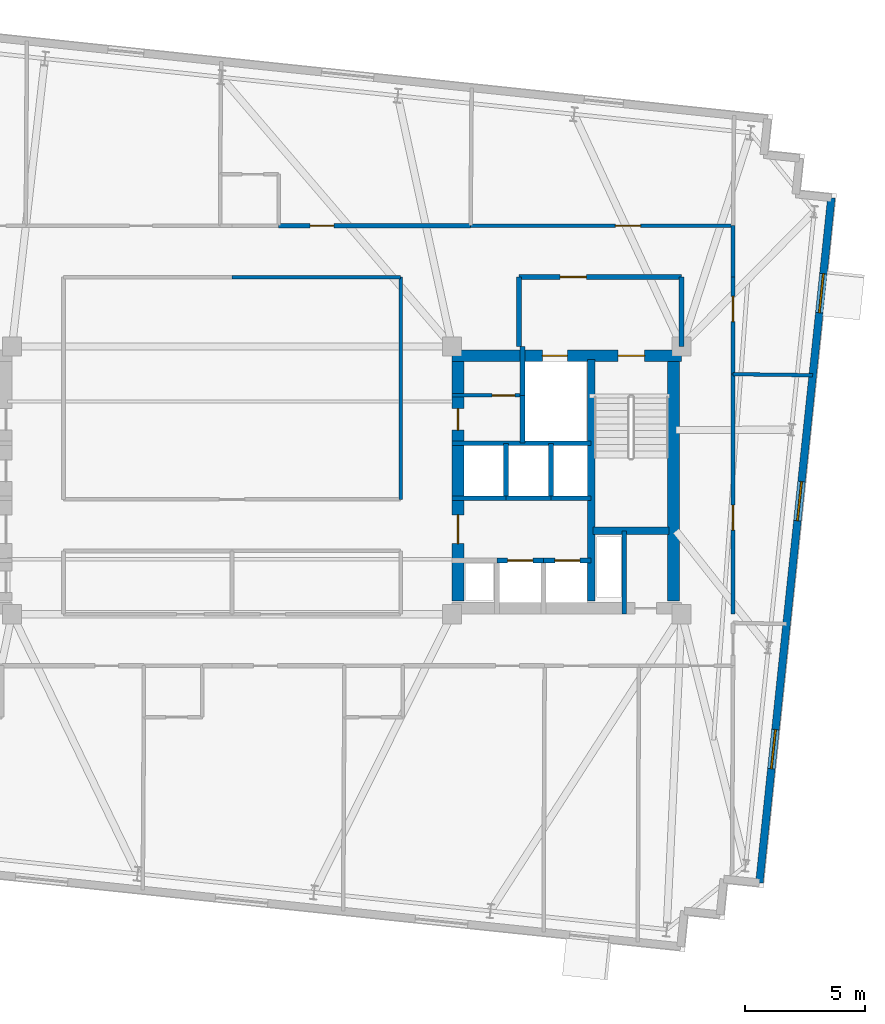
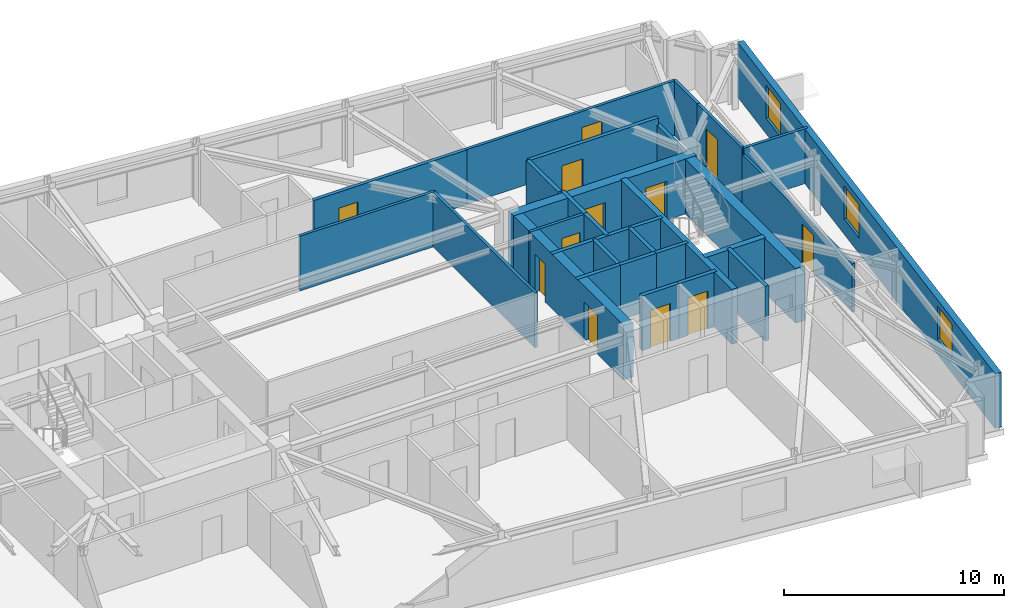
# One storey, part 8 of 11: 29 walls, 12 doors, 3 windows, 15 openings.
"""IFC4 building model written with IfcOpenShell, lengths in metres."""

import ifcopenshell
import ifcopenshell.guid

model = None  # the IFC model being written
_history = None  # IfcOwnerHistory: only IFC2X3 demands one
_inside = {}  # id of a spatial element -> (the spatial element, [elements in it])
_under = {}  # id of a project, library or spatial element -> (it, [spatial elements below it])
_declared = {}  # id of a project -> (the project, [libraries it declares])
_typed = {}  # id of a type object -> (the type object, [elements of that type])
_made_of = {}  # id of a material, layer set ... -> (it, [elements and type objects made of it])


def new_model(schema):
    """Start an empty IFC model of exactly this schema.

    Asked for "IFC4X3", IfcOpenShell would pick the latest addendum, in which some entities
    have other attributes; the version numbers below select the first issue.
    IFC2X3 requires an IfcOwnerHistory on every rooted entity: one is made here for all.
    """
    global model, _history
    if schema == "IFC4X3":
        model = ifcopenshell.file(schema_version=(4, 3, 0, 0))
    else:
        model = ifcopenshell.file(schema=schema)
    _inside.clear()
    _under.clear()
    _declared.clear()
    _typed.clear()
    _made_of.clear()
    _history = None
    if model.schema == "IFC2X3":
        org = make("IfcOrganization", Name="unknown")
        user = make(
            "IfcPersonAndOrganization",
            ThePerson=make("IfcPerson", FamilyName="unknown"),
            TheOrganization=org,
        )
        app = make(
            "IfcApplication",
            ApplicationDeveloper=org,
            Version="unknown",
            ApplicationFullName="unknown",
            ApplicationIdentifier="unknown",
        )
        _history = make(
            "IfcOwnerHistory",
            OwningUser=user,
            OwningApplication=app,
            ChangeAction="ADDED",
            CreationDate=0,
        )
    return model


def make(cls, **values):
    """One entity of the class cls with the attributes given. An attribute that is None is left unset."""
    return model.create_entity(
        cls, **{name: value for name, value in values.items() if value is not None}
    )


def rooted(cls, **values):
    """An entity with a GlobalId (a new one), such as an element, a storey or a relation."""
    return make(cls, GlobalId=ifcopenshell.guid.new(), OwnerHistory=_history, **values)


def si_unit(unit_type, name, prefix=None):
    """IfcSIUnit, for example si_unit("LENGTHUNIT", "METRE", prefix="MILLI")."""
    return make("IfcSIUnit", UnitType=unit_type, Prefix=prefix, Name=name)


def assignment(units):
    """IfcUnitAssignment: the units of a project."""
    return None if units is None else make("IfcUnitAssignment", Units=units)


def point(xyz):
    """IfcCartesianPoint."""
    return None if xyz is None else make("IfcCartesianPoint", Coordinates=xyz)


def direction(xyz):
    """IfcDirection."""
    return None if xyz is None else make("IfcDirection", DirectionRatios=xyz)


def frame(location, z_axis=None, x_axis=None):
    """IfcAxis2Placement3D, a coordinate frame: its origin and axes. An axis left out is left unset."""
    return make(
        "IfcAxis2Placement3D",
        Location=point(location),
        Axis=direction(z_axis),
        RefDirection=direction(x_axis),
    )


def frame_2d(location, x_axis=None):
    """IfcAxis2Placement2D, a coordinate frame in the plane: its origin and x axis."""
    return make(
        "IfcAxis2Placement2D", Location=point(location), RefDirection=direction(x_axis)
    )


def origin():
    """The frame at (0, 0, 0) with its axes left unset."""
    return frame((0.0, 0.0, 0.0))


def place(relative_to, where):
    """IfcLocalPlacement: puts the frame where relative to a parent placement (None: the world)."""
    return make(
        "IfcLocalPlacement", PlacementRelTo=relative_to, RelativePlacement=where
    )


def context(
    kind, dimensions, precision=None, world=None, true_north=None, identifier=None
):
    """IfcGeometricRepresentationContext, for example the 3D "Model" context."""
    return make(
        "IfcGeometricRepresentationContext",
        ContextIdentifier=identifier,
        ContextType=kind,
        CoordinateSpaceDimension=dimensions,
        Precision=precision,
        WorldCoordinateSystem=world,
        TrueNorth=true_north,
    )


def subcontext(parent, identifier, kind, view, scale=None):
    """IfcGeometricRepresentationSubContext, for example "Body" below "Model"."""
    return make(
        "IfcGeometricRepresentationSubContext",
        ContextIdentifier=identifier,
        ContextType=kind,
        ParentContext=parent,
        TargetScale=scale,
        TargetView=view,
    )


def project(units=None, contexts=None):
    """IfcProject with its units and contexts."""
    return rooted(
        "IfcProject",
        Name="project",
        RepresentationContexts=contexts,
        UnitsInContext=assignment(units),
    )


def spatial(cls, under=None, at=None, **own):
    """A site, building, storey or space (cls), placed at a placement, below another one or the project."""
    s = rooted(cls, ObjectPlacement=at, **own)
    if under is not None:
        _under.setdefault(under.id(), (under, []))[1].append(s)
    return s


def profile(cls, at=None, kind="AREA", **sizes):
    """A parametric profile (cls). Its sizes go by their IFC names, for example OverallWidth=200.0."""
    return make(cls, ProfileType=kind, Position=at, **sizes)


def rectangle(**sizes):
    """IfcRectangleProfileDef."""
    return profile("IfcRectangleProfileDef", **sizes)


def extrude(swept, where, along, depth):
    """IfcExtrudedAreaSolid: the profile swept, set in the frame where, extruded along a direction by depth."""
    return make(
        "IfcExtrudedAreaSolid",
        SweptArea=swept,
        Position=where,
        ExtrudedDirection=direction(along),
        Depth=depth,
    )


def shape(context_of_items, identifier, shape_type, items):
    """IfcShapeRepresentation: the items that make up one representation, for example the "Body"."""
    return make(
        "IfcShapeRepresentation",
        ContextOfItems=context_of_items,
        RepresentationIdentifier=identifier,
        RepresentationType=shape_type,
        Items=items,
    )


def material(Name=None, Category=None):
    """IfcMaterial."""
    return make("IfcMaterial", Name=Name, Category=Category)


def layer(
    of_material, thickness, ventilated=None, Name=None, Category=None, Priority=None
):
    """IfcMaterialLayer: one layer of a wall or slab, of a material (None: an air gap)."""
    return make(
        "IfcMaterialLayer",
        Material=of_material,
        LayerThickness=thickness,
        IsVentilated=ventilated,
        Name=Name,
        Category=Category,
        Priority=Priority,
    )


def layer_set(layers, Name=None):
    """IfcMaterialLayerSet."""
    return make("IfcMaterialLayerSet", MaterialLayers=layers, LayerSetName=Name)


def made_of(thing, what):
    """Note that an element or type object is made of a material, layer set ...; save() writes the relation."""
    if what is not None:
        _made_of.setdefault(what.id(), (what, []))[1].append(thing)
    return thing


def type_object(cls, material=None, **own):
    """A type object (cls), such as IfcWallType, which elements share."""
    return made_of(rooted(cls, **own), material)


def element(
    cls,
    number,
    at=None,
    inside=None,
    cuts=None,
    type_object=None,
    material=None,
    context=None,
    identifier="Body",
    shape_type=None,
    held_by="IfcProductDefinitionShape",
    body=None,
    shapes=None,
    **own,
):
    """One element of the class cls, such as IfcWall. Its Tag is "e" and its number.

    at: its placement. inside: the storey or other place that contains it. cuts: it is an
    opening in that element (IfcRelVoidsElement). A single representation is given by context,
    identifier, shape_type and body (its items); several are given by shapes. held_by: the class
    of the entity that holds the representations. save() writes the other relations.
    """
    e = rooted(cls, Tag="e%d" % number, ObjectPlacement=at, **own)
    if body is not None:
        shapes = [shape(context, identifier, shape_type, body)]
    if shapes is not None:
        e.Representation = make(held_by, Representations=shapes)
    if inside is not None:
        _inside.setdefault(inside.id(), (inside, []))[1].append(e)
    if cuts is not None:
        rooted(
            "IfcRelVoidsElement", RelatingBuildingElement=cuts, RelatedOpeningElement=e
        )
    if type_object is not None:
        _typed.setdefault(type_object.id(), (type_object, []))[1].append(e)
    return made_of(e, material)


def fill(opening, filler):
    """IfcRelFillsElement: the door or window that sits in an opening."""
    return rooted(
        "IfcRelFillsElement",
        RelatingOpeningElement=opening,
        RelatedBuildingElement=filler,
    )


def aggregate(whole, parts):
    """IfcRelAggregates: a whole, such as a stair, and the parts it consists of."""
    return rooted("IfcRelAggregates", RelatingObject=whole, RelatedObjects=parts)


def save(model, path):
    """Write the relations noted so far, then the file.

    IfcRelAggregates (storeys below a building ...), IfcRelContainedInSpatialStructure (elements
    in a storey), IfcRelDefinesByType, IfcRelAssociatesMaterial and IfcRelDeclares: one each for
    every whole, place, type object, material and project.
    """
    for whole, parts in _under.values():
        aggregate(whole, parts)
    for where, things in _inside.values():
        rooted(
            "IfcRelContainedInSpatialStructure",
            RelatedElements=things,
            RelatingStructure=where,
        )
    for kind, things in _typed.values():
        rooted("IfcRelDefinesByType", RelatedObjects=things, RelatingType=kind)
    for what, things in _made_of.values():
        rooted("IfcRelAssociatesMaterial", RelatedObjects=things, RelatingMaterial=what)
    for by, libraries in _declared.values():
        rooted("IfcRelDeclares", RelatingContext=by, RelatedDefinitions=libraries)
    model.write(path)


model = new_model("IFC4")

# Units and contexts
model_context = context("Model", 3, precision=1e-05, world=origin(), true_north=direction((0.0, 1.0)))
body_context = subcontext(model_context, "Body", "Model", "MODEL_VIEW")
ifc_project = project(units=[si_unit("LENGTHUNIT", "METRE"), si_unit("AREAUNIT", "SQUARE_METRE"), si_unit("VOLUMEUNIT", "CUBIC_METRE"), si_unit("PLANEANGLEUNIT", "RADIAN"), si_unit("MASSUNIT", "GRAM", prefix="KILO")], contexts=[model_context])

# Site, building, storey
site_placement = place(None, origin())
site = spatial("IfcSite", under=ifc_project, at=site_placement, CompositionType="ELEMENT")
building_placement = place(site_placement, origin())
building = spatial("IfcBuilding", under=site, at=building_placement, Name="Qobustan Lattice House", CompositionType="ELEMENT")
storey_placement = place(building_placement, frame((0.0, 0.0, 193.050048828125)))
storey = spatial("IfcBuildingStorey", under=building, at=storey_placement, Name="L54", CompositionType="ELEMENT", Elevation=193.050048828125)

# Wall, openings, doors
ifc_material_1 = material(Name="Concrete C50/60", Category="concrete")
ifc_layer_1 = layer(ifc_material_1, 0.5)
ifc_layer_set_1 = layer_set([ifc_layer_1], Name="Concrete C50/60")
wall_type_1 = type_object("IfcWallType", Name="WAL-CORE-500", PredefinedType="SHEAR", material=ifc_layer_set_1)
wall_1_placement = place(storey_placement, frame((9.199951171875, 5.2099609375, 0.0), z_axis=(0.0, 0.0, 1.0), x_axis=(1.0, 0.0, 0.0)))
wall_1 = element("IfcWall", 1, at=wall_1_placement, inside=storey, type_object=wall_type_1, Name="L54 split-core shear wall CE-N", PredefinedType="SHEAR", context=body_context, shape_type="SweptSolid", body=[
    extrude(rectangle(XDim=9.60009765625, YDim=0.5, at=frame_2d((4.800048828125, 0.0))), origin(), (0.0, 0.0, 1.0), 3.0400390625),
])
opening_1_placement = place(wall_1_placement, frame((6.949951171875, 0.0, 0.0)))
opening_1 = element("IfcOpeningElement", 2, at=opening_1_placement, cuts=wall_1, Name="Opening SD-01", PredefinedType="OPENING", context=body_context, shape_type="SweptSolid", body=[
    extrude(rectangle(XDim=1.10009765625, YDim=2.14990234375, at=frame_2d((0.550048828125, 1.074951171875))), frame((0.0, 0.260009765625, 0.0), z_axis=(0.0, -1.0, 0.0), x_axis=(1.0, 0.0, 0.0)), (0.0, 0.0, 1.0), 0.52001953125),
])
opening_2_placement = place(wall_1_placement, frame((3.77490234375, 0.0, 0.0)))
opening_2 = element("IfcOpeningElement", 3, at=opening_2_placement, cuts=wall_1, Name="Opening LD-01", PredefinedType="OPENING", context=body_context, shape_type="SweptSolid", body=[
    extrude(rectangle(XDim=1.050048828125, YDim=2.10009765625, at=frame_2d((0.52490234375, 1.050048828125))), frame((0.0, 0.260009765625, 0.0), z_axis=(0.0, -1.0, 0.0), x_axis=(1.0, 0.0, 0.0)), (0.0, 0.0, 1.0), 0.52001953125),
])
ifc_material_2 = material(Name="Persian walnut timber and steel frame door", Category="steel")
door_type_1 = type_object("IfcDoorType", Name="DOR-LIFT-LD-1050x2100", OperationType="NOTDEFINED", PredefinedType="DOOR", material=ifc_material_2)
door_1_placement = place(opening_2_placement, origin())
door_1 = element("IfcDoor", 4, at=door_1_placement, inside=storey, type_object=door_type_1, Name="L54 firefighting lift FF-E landing door", OperationType="DOUBLE_DOOR_SLIDING", OverallHeight=2.10009765625, OverallWidth=1.050048828125, PredefinedType="DOOR", context=body_context, shape_type="SweptSolid", body=[
    extrude(rectangle(XDim=1.050048828125, YDim=2.10009765625, at=frame_2d((0.52490234375, 1.050048828125))), frame((0.0, 0.02490234375, 0.0), z_axis=(0.0, -1.0, 0.0), x_axis=(1.0, 0.0, 0.0)), (0.0, 0.0, 1.0), 0.050048828125),
])
fill(opening_2, door_1)
ifc_material_3 = material(Name="Persian walnut timber and steel frame door", Category="steel")
door_type_2 = type_object("IfcDoorType", Name="DOR-STAIR-FD-1100x2150", OperationType="NOTDEFINED", PredefinedType="DOOR", material=ifc_material_3)
door_2_placement = place(opening_1_placement, origin())
door_2 = element("IfcDoor", 5, at=door_2_placement, inside=storey, type_object=door_type_2, Name="L54 exit stair ST-E1 fire door", OperationType="SINGLE_SWING_RIGHT", OverallHeight=2.14990234375, OverallWidth=1.10009765625, PredefinedType="DOOR", context=body_context, shape_type="SweptSolid", body=[
    extrude(rectangle(XDim=1.10009765625, YDim=2.14990234375, at=frame_2d((0.550048828125, 1.074951171875))), frame((0.0, 0.02490234375, 0.0), z_axis=(0.0, -1.0, 0.0), x_axis=(1.0, 0.0, 0.0)), (0.0, 0.0, 1.0), 0.050048828125),
])
fill(opening_1, door_2)

wall_2_placement = place(storey_placement, frame((9.449951171875, -5.050048828125, 0.0), z_axis=(0.0, 0.0, 1.0), x_axis=(0.0, 1.0, 0.0)))
wall_2 = element("IfcWall", 6, at=wall_2_placement, inside=storey, type_object=wall_type_1, Name="L54 split-core shear wall CE-W", PredefinedType="SHEAR", context=body_context, shape_type="SweptSolid", body=[
    extrude(rectangle(XDim=10.10009765625, YDim=0.5, at=frame_2d((5.050048828125, 0.0))), origin(), (0.0, 0.0, 1.0), 3.0400390625),
])
opening_3_placement = place(wall_2_placement, frame((7.14990234375, 0.0, 0.0)))
opening_3 = element("IfcOpeningElement", 7, at=opening_3_placement, cuts=wall_2, Name="Opening RD-01", PredefinedType="OPENING", context=body_context, shape_type="SweptSolid", body=[
    extrude(rectangle(XDim=0.89990234375, YDim=2.10009765625, at=frame_2d((0.449951171875, 1.050048828125))), frame((0.0, 0.260009765625, 0.0), z_axis=(0.0, -1.0, 0.0), x_axis=(1.0, 0.0, 0.0)), (0.0, 0.0, 1.0), 0.52001953125),
])
opening_4_placement = place(wall_2_placement, frame((2.39990234375, 0.0, 0.0)))
opening_4 = element("IfcOpeningElement", 8, at=opening_4_placement, cuts=wall_2, Name="Opening FD-01", PredefinedType="OPENING", context=body_context, shape_type="SweptSolid", body=[
    extrude(rectangle(XDim=1.199951171875, YDim=2.14990234375, at=frame_2d((0.60009765625, 1.074951171875))), frame((0.0, 0.260009765625, 0.0), z_axis=(0.0, -1.0, 0.0), x_axis=(1.0, 0.0, 0.0)), (0.0, 0.0, 1.0), 0.52001953125),
])
ifc_material_4 = material(Name="Persian walnut timber and steel frame door", Category="steel")
door_type_3 = type_object("IfcDoorType", Name="DOR-LOBBY-FD-1200x2150", OperationType="NOTDEFINED", PredefinedType="DOOR", material=ifc_material_4)
door_3_placement = place(opening_4_placement, origin())
door_3 = element("IfcDoor", 9, at=door_3_placement, inside=storey, type_object=door_type_3, Name="L54 East passenger lift lobby fire door", OperationType="SINGLE_SWING_RIGHT", OverallHeight=2.14990234375, OverallWidth=1.199951171875, PredefinedType="DOOR", context=body_context, shape_type="SweptSolid", body=[
    extrude(rectangle(XDim=1.199951171875, YDim=2.14990234375, at=frame_2d((0.60009765625, 1.074951171875))), frame((0.0, 0.02490234375, 0.0), z_axis=(0.0, -1.0, 0.0), x_axis=(1.0, 0.0, 0.0)), (0.0, 0.0, 1.0), 0.050048828125),
])
fill(opening_4, door_3)
ifc_material_5 = material(Name="Persian walnut timber and steel frame door", Category="steel")
door_type_4 = type_object("IfcDoorType", Name="DOR-RISER-FD-900x2100", OperationType="NOTDEFINED", PredefinedType="DOOR", material=ifc_material_5)
door_4_placement = place(opening_3_placement, origin())
door_4 = element("IfcDoor", 10, at=door_4_placement, inside=storey, type_object=door_type_4, Name="L54 Housekeeping utility foyer fire door", OperationType="SINGLE_SWING_LEFT", OverallHeight=2.10009765625, OverallWidth=0.89990234375, PredefinedType="DOOR", context=body_context, shape_type="SweptSolid", body=[
    extrude(rectangle(XDim=0.89990234375, YDim=2.10009765625, at=frame_2d((0.449951171875, 1.050048828125))), frame((0.0, 0.02490234375, 0.0), z_axis=(0.0, -1.0, 0.0), x_axis=(1.0, 0.0, 0.0)), (0.0, 0.0, 1.0), 0.050048828125),
])
fill(opening_3, door_4)

# Walls
wall_3_placement = place(storey_placement, frame((18.4599609375, -5.050048828125, 0.0), z_axis=(0.0, 0.0, 1.0), x_axis=(0.0, 1.0, 0.0)))
element("IfcWall", 11, at=wall_3_placement, inside=storey, type_object=wall_type_1, Name="L54 split-core shear wall CE-E", PredefinedType="SHEAR", context=body_context, shape_type="SweptSolid", body=[
    extrude(rectangle(XDim=10.10009765625, YDim=0.5, at=frame_2d((5.050048828125, 0.0))), origin(), (0.0, 0.0, 1.0), 3.0400390625),
])
ifc_material_6 = material(Name="Concrete C50/60", Category="concrete")
ifc_layer_2 = layer(ifc_material_6, 0.280029296875)
ifc_layer_set_2 = layer_set([ifc_layer_2], Name="Concrete C50/60")
wall_type_2 = type_object("IfcWallType", Name="WAL-CORE-SPINE-280", PredefinedType="SHEAR", material=ifc_layer_set_2)
wall_4_placement = place(storey_placement, frame((15.02001953125, -5.050048828125, 0.0), z_axis=(0.0, 0.0, 1.0), x_axis=(0.0, 1.0, 0.0)))
element("IfcWall", 12, at=wall_4_placement, inside=storey, type_object=wall_type_2, Name="L54 split-core shear wall CE-M", PredefinedType="SHEAR", context=body_context, shape_type="SweptSolid", body=[
    extrude(rectangle(XDim=10.10009765625, YDim=0.300048828125, at=frame_2d((5.050048828125, 0.0))), origin(), (0.0, 0.0, 1.0), 3.0400390625),
])
wall_5_placement = place(storey_placement, frame((15.10009765625, -2.110107421875, 0.0), z_axis=(0.0, 0.0, 1.0), x_axis=(1.0, 0.0, 0.0)))
element("IfcWall", 13, at=wall_5_placement, inside=storey, type_object=wall_type_2, Name="L54 split-core shear wall CE-ST", PredefinedType="SHEAR", context=body_context, shape_type="SweptSolid", body=[
    extrude(rectangle(XDim=3.179931640625, YDim=0.300048828125, at=frame_2d((1.58984375, 0.0))), origin(), (0.0, 0.0, 1.0), 3.0400390625),
])

# Wall, openings, windows
ifc_material_7 = material(Name="Precast concrete C40/50", Category="concrete")
ifc_layer_3 = layer(ifc_material_7, 0.320068359375)
ifc_layer_set_3 = layer_set([ifc_layer_3], Name="Precast concrete C40/50")
wall_type_3 = type_object("IfcWallType", Name="WAL-EXT-STONE-320", PredefinedType="SOLIDWALL", material=ifc_layer_set_3)
wall_6_placement = place(storey_placement, frame((25.063232421875, 11.813720703125, 0.0), z_axis=(0.0, 0.0, 1.0), x_axis=(-0.104523275986, -0.99452244056, 0.0)))
wall_6 = element("IfcWall", 14, at=wall_6_placement, inside=storey, type_object=wall_type_3, Name="L54 exterior limestone-clad wall 15", PredefinedType="SOLIDWALL", context=body_context, shape_type="SweptSolid", body=[
    extrude(rectangle(XDim=28.7998046875, YDim=0.320068359375, at=frame_2d((14.39990234375, 0.0))), origin(), (0.0, 0.0, 1.0), 3.0400390625),
])
opening_5_placement = place(wall_6_placement, frame((3.18603515625, 0.0, 0.85009765625)))
opening_5 = element("IfcOpeningElement", 15, at=opening_5_placement, cuts=wall_6, Name="Opening WN-09", PredefinedType="OPENING", context=body_context, shape_type="SweptSolid", body=[
    extrude(rectangle(XDim=1.64990234375, YDim=1.85009765625, at=frame_2d((0.824951171875, 0.925048828125))), frame((0.0, 0.169921875, 0.0), z_axis=(0.0, -1.0, 0.0), x_axis=(1.0, 0.0, 0.0)), (0.0, 0.0, 1.0), 0.340087890625),
])
opening_6_placement = place(wall_6_placement, frame((11.930419921875, 0.0, 0.85009765625)))
opening_6 = element("IfcOpeningElement", 16, at=opening_6_placement, cuts=wall_6, Name="Opening WN-09", PredefinedType="OPENING", context=body_context, shape_type="SweptSolid", body=[
    extrude(rectangle(XDim=1.64990234375, YDim=1.85009765625, at=frame_2d((0.824951171875, 0.925048828125))), frame((0.0, 0.169921875, 0.0), z_axis=(0.0, -1.0, 0.0), x_axis=(1.0, 0.0, 0.0)), (0.0, 0.0, 1.0), 0.340087890625),
])
opening_7_placement = place(wall_6_placement, frame((22.359375, 0.0, 0.85009765625)))
opening_7 = element("IfcOpeningElement", 17, at=opening_7_placement, cuts=wall_6, Name="Opening WN-09", PredefinedType="OPENING", context=body_context, shape_type="SweptSolid", body=[
    extrude(rectangle(XDim=1.64990234375, YDim=1.85009765625, at=frame_2d((0.824951171875, 0.925048828125))), frame((0.0, 0.169921875, 0.0), z_axis=(0.0, -1.0, 0.0), x_axis=(1.0, 0.0, 0.0)), (0.0, 0.0, 1.0), 0.340087890625),
])
ifc_material_8 = material(Name="Double-glazed low-E aluminium window", Category="aluminium")
window_type = type_object("IfcWindowType", Name="WIN-STU-1650x1850", PartitioningType="SINGLE_PANEL", PredefinedType="WINDOW", material=ifc_material_8)
window_1_placement = place(opening_5_placement, origin())
window_1 = element("IfcWindow", 18, at=window_1_placement, inside=storey, type_object=window_type, Name="L54 Focus study room E3 window", OverallHeight=1.85009765625, OverallWidth=1.64990234375, PartitioningType="SINGLE_PANEL", PredefinedType="WINDOW", context=body_context, shape_type="SweptSolid", body=[
    extrude(rectangle(XDim=1.64990234375, YDim=1.85009765625, at=frame_2d((0.824951171875, 0.925048828125))), frame((0.0, 0.030029296875, 0.0), z_axis=(0.0, -1.0, 0.0), x_axis=(1.0, 0.0, 0.0)), (0.0, 0.0, 1.0), 0.06005859375),
])
fill(opening_5, window_1)
window_2_placement = place(opening_6_placement, origin())
window_2 = element("IfcWindow", 19, at=window_2_placement, inside=storey, type_object=window_type, Name="L54 Focus study room E2 window", OverallHeight=1.85009765625, OverallWidth=1.64990234375, PartitioningType="SINGLE_PANEL", PredefinedType="WINDOW", context=body_context, shape_type="SweptSolid", body=[
    extrude(rectangle(XDim=1.64990234375, YDim=1.85009765625, at=frame_2d((0.824951171875, 0.925048828125))), frame((0.0, 0.030029296875, 0.0), z_axis=(0.0, -1.0, 0.0), x_axis=(1.0, 0.0, 0.0)), (0.0, 0.0, 1.0), 0.06005859375),
])
fill(opening_6, window_2)
window_3_placement = place(opening_7_placement, origin())
window_3 = element("IfcWindow", 20, at=window_3_placement, inside=storey, type_object=window_type, Name="L54 Focus study room E1 window", OverallHeight=1.85009765625, OverallWidth=1.64990234375, PartitioningType="SINGLE_PANEL", PredefinedType="WINDOW", context=body_context, shape_type="SweptSolid", body=[
    extrude(rectangle(XDim=1.64990234375, YDim=1.85009765625, at=frame_2d((0.824951171875, 0.925048828125))), frame((0.0, 0.030029296875, 0.0), z_axis=(0.0, -1.0, 0.0), x_axis=(1.0, 0.0, 0.0)), (0.0, 0.0, 1.0), 0.06005859375),
])
fill(opening_7, window_3)

# Wall, opening, door
ifc_material_9 = material(Name="Gypsum fireboard acoustic partition", Category="gypsum")
ifc_layer_4 = layer(ifc_material_9, 0.179931640625)
ifc_layer_set_4 = layer_set([ifc_layer_4], Name="Gypsum fireboard acoustic partition")
wall_type_4 = type_object("IfcWallType", Name="WAL-FIRE-180", PredefinedType="PARTITIONING", material=ifc_layer_set_4)
wall_7_placement = place(storey_placement, frame((1.949951171875, 10.64990234375, 0.0), z_axis=(0.0, 0.0, 1.0), x_axis=(1.0, 0.0, 0.0)))
wall_7 = element("IfcWall", 21, at=wall_7_placement, inside=storey, type_object=wall_type_4, Name="L54 interior partition 42", PredefinedType="PARTITIONING", context=body_context, shape_type="SweptSolid", body=[
    extrude(rectangle(XDim=8.025146484375, YDim=0.179931640625, at=frame_2d((4.0126953125, 0.0))), origin(), (0.0, 0.0, 1.0), 3.0400390625),
])
opening_8_placement = place(wall_7_placement, frame((1.31298828125, 0.0, 0.0)))
opening_8 = element("IfcOpeningElement", 22, at=opening_8_placement, cuts=wall_7, Name="Opening FD-02", PredefinedType="OPENING", context=body_context, shape_type="SweptSolid", body=[
    extrude(rectangle(XDim=1.0, YDim=2.14990234375, at=frame_2d((0.5, 1.074951171875))), frame((0.0, 0.099853515625, 0.0), z_axis=(0.0, -1.0, 0.0), x_axis=(1.0, 0.0, 0.0)), (0.0, 0.0, 1.0), 0.199951171875),
])
ifc_material_10 = material(Name="Persian walnut timber and steel frame door", Category="steel")
door_type_5 = type_object("IfcDoorType", Name="DOR-UNIT-FD-1000x2150", OperationType="NOTDEFINED", PredefinedType="DOOR", material=ifc_material_10)
door_5_placement = place(opening_8_placement, origin())
door_5 = element("IfcDoor", 23, at=door_5_placement, inside=storey, type_object=door_type_5, Name="L54 North-east floor corridor to Kitchenette and studio apartment L54-N3 door", OperationType="SINGLE_SWING_LEFT", OverallHeight=2.14990234375, OverallWidth=1.0, PredefinedType="DOOR", context=body_context, shape_type="SweptSolid", body=[
    extrude(rectangle(XDim=1.0, YDim=2.14990234375, at=frame_2d((0.5, 1.074951171875))), frame((0.0, 0.02490234375, 0.0), z_axis=(0.0, -1.0, 0.0), x_axis=(1.0, 0.0, 0.0)), (0.0, 0.0, 1.0), 0.050048828125),
])
fill(opening_8, door_5)

ifc_material_11 = material(Name="Acoustic twin-stud gypsum partition", Category="gypsum")
ifc_layer_5 = layer(ifc_material_11, 0.14990234375)
ifc_layer_set_5 = layer_set([ifc_layer_5], Name="Acoustic twin-stud gypsum partition")
wall_type_5 = type_object("IfcWallType", Name="WAL-PART-150", PredefinedType="PARTITIONING", material=ifc_layer_set_5)
wall_8_placement = place(storey_placement, frame((12.14990234375, 3.550048828125, 0.0), z_axis=(0.0, 0.0, 1.0), x_axis=(-1.0, 0.0, 0.0)))
wall_8 = element("IfcWall", 24, at=wall_8_placement, inside=storey, type_object=wall_type_5, Name="L54 interior partition 21", PredefinedType="PARTITIONING", context=body_context, shape_type="SweptSolid", body=[
    extrude(rectangle(XDim=2.949951171875, YDim=0.14990234375, at=frame_2d((1.47509765625, 0.0))), origin(), (0.0, 0.0, 1.0), 3.0400390625),
])
opening_9_placement = place(wall_8_placement, frame((0.324951171875, 0.0, 0.0)))
opening_9 = element("IfcOpeningElement", 25, at=opening_9_placement, cuts=wall_8, Name="Opening ID-01", PredefinedType="OPENING", context=body_context, shape_type="SweptSolid", body=[
    extrude(rectangle(XDim=0.949951171875, YDim=2.10009765625, at=frame_2d((0.47509765625, 1.050048828125))), frame((0.0, 0.0849609375, 0.0), z_axis=(0.0, -1.0, 0.0), x_axis=(1.0, 0.0, 0.0)), (0.0, 0.0, 1.0), 0.169921875),
])
ifc_material_12 = material(Name="Persian walnut timber and steel frame door", Category="steel")
door_type_6 = type_object("IfcDoorType", Name="DOR-ROOM-950x2100", OperationType="NOTDEFINED", PredefinedType="DOOR", material=ifc_material_12)
door_6_placement = place(opening_9_placement, origin())
door_6 = element("IfcDoor", 26, at=door_6_placement, inside=storey, type_object=door_type_6, Name="L54 Housekeeping utility foyer to Cleaner cupboard door", OperationType="SINGLE_SWING_RIGHT", OverallHeight=2.10009765625, OverallWidth=0.949951171875, PredefinedType="DOOR", context=body_context, shape_type="SweptSolid", body=[
    extrude(rectangle(XDim=0.949951171875, YDim=2.10009765625, at=frame_2d((0.47509765625, 1.050048828125))), frame((0.0, 0.02490234375, 0.0), z_axis=(0.0, -1.0, 0.0), x_axis=(1.0, 0.0, 0.0)), (0.0, 0.0, 1.0), 0.050048828125),
])
fill(opening_9, door_6)

# Wall
wall_9_placement = place(storey_placement, frame((20.949951171875, 10.64990234375, 0.0), z_axis=(0.0, 0.0, 1.0), x_axis=(0.0, -1.0, 0.0)))
element("IfcWall", 27, at=wall_9_placement, inside=storey, type_object=wall_type_5, Name="L54 interior partition 41", PredefinedType="PARTITIONING", context=body_context, shape_type="SweptSolid", body=[
    extrude(rectangle(XDim=2.14990234375, YDim=0.14990234375, at=frame_2d((1.074951171875, 0.0))), origin(), (0.0, 0.0, 1.0), 3.0400390625),
])

# Wall, opening, door
wall_10_placement = place(storey_placement, frame((9.97509765625, 10.64990234375, 0.0), z_axis=(0.0, 0.0, 1.0), x_axis=(1.0, 0.0, 0.0)))
wall_10 = element("IfcWall", 28, at=wall_10_placement, inside=storey, type_object=wall_type_5, Name="L54 interior partition 44", PredefinedType="PARTITIONING", context=body_context, shape_type="SweptSolid", body=[
    extrude(rectangle(XDim=10.974853515625, YDim=0.14990234375, at=frame_2d((5.4873046875, 0.0))), origin(), (0.0, 0.0, 1.0), 3.0400390625),
])
opening_10_placement = place(wall_10_placement, frame((6.05810546875, 0.0, 0.0)))
opening_10 = element("IfcOpeningElement", 29, at=opening_10_placement, cuts=wall_10, Name="Opening ID-02", PredefinedType="OPENING", context=body_context, shape_type="SweptSolid", body=[
    extrude(rectangle(XDim=1.050048828125, YDim=2.14990234375, at=frame_2d((0.52490234375, 1.074951171875))), frame((0.0, 0.0849609375, 0.0), z_axis=(0.0, -1.0, 0.0), x_axis=(1.0, 0.0, 0.0)), (0.0, 0.0, 1.0), 0.169921875),
])
ifc_material_13 = material(Name="Persian walnut timber and steel frame door", Category="steel")
door_type_7 = type_object("IfcDoorType", Name="DOR-STUDY-1050x2150", OperationType="NOTDEFINED", PredefinedType="DOOR", material=ifc_material_13)
door_7_placement = place(opening_10_placement, origin())
door_7 = element("IfcDoor", 30, at=door_7_placement, inside=storey, type_object=door_type_7, Name="L54 North-east floor corridor to Focus study room N4 door", OperationType="SINGLE_SWING_RIGHT", OverallHeight=2.14990234375, OverallWidth=1.050048828125, PredefinedType="DOOR", context=body_context, shape_type="SweptSolid", body=[
    extrude(rectangle(XDim=1.050048828125, YDim=2.14990234375, at=frame_2d((0.52490234375, 1.074951171875))), frame((0.0, 0.02490234375, 0.0), z_axis=(0.0, -1.0, 0.0), x_axis=(1.0, 0.0, 0.0)), (0.0, 0.0, 1.0), 0.050048828125),
])
fill(opening_10, door_7)

# Wall
wall_11_placement = place(storey_placement, frame((7.050048828125, 8.5, 0.0), z_axis=(0.0, 0.0, 1.0), x_axis=(-1.0, 0.0, 0.0)))
element("IfcWall", 31, at=wall_11_placement, inside=storey, type_object=wall_type_5, Name="L54 interior partition 45", PredefinedType="PARTITIONING", context=body_context, shape_type="SweptSolid", body=[
    extrude(rectangle(XDim=7.050048828125, YDim=0.14990234375, at=frame_2d((3.52490234375, 0.0))), origin(), (0.0, 0.0, 1.0), 3.0400390625),
])

# Wall, opening, door
wall_12_placement = place(storey_placement, frame((20.949951171875, 4.43798828125, 0.0), z_axis=(0.0, 0.0, 1.0), x_axis=(0.0, -1.0, 0.0)))
wall_12 = element("IfcWall", 32, at=wall_12_placement, inside=storey, type_object=wall_type_5, Name="L54 interior partition 62", PredefinedType="PARTITIONING", context=body_context, shape_type="SweptSolid", body=[
    extrude(rectangle(XDim=10.0380859375, YDim=0.14990234375, at=frame_2d((5.01904296875, 0.0))), origin(), (0.0, 0.0, 1.0), 2.695068359375),
])
opening_11_placement = place(wall_12_placement, frame((5.472412109375, 0.0, 0.0)))
opening_11 = element("IfcOpeningElement", 33, at=opening_11_placement, cuts=wall_12, Name="Opening ID-02", PredefinedType="OPENING", context=body_context, shape_type="SweptSolid", body=[
    extrude(rectangle(XDim=1.050048828125, YDim=2.14990234375, at=frame_2d((0.52490234375, 1.074951171875))), frame((0.0, 0.0849609375, 0.0), z_axis=(0.0, -1.0, 0.0), x_axis=(1.0, 0.0, 0.0)), (0.0, 0.0, 1.0), 0.169921875),
])
door_8_placement = place(opening_11_placement, origin())
door_8 = element("IfcDoor", 34, at=door_8_placement, inside=storey, type_object=door_type_7, Name="L54 East wing spine gallery to Focus study room E2 door", OperationType="SINGLE_SWING_RIGHT", OverallHeight=2.14990234375, OverallWidth=1.050048828125, PredefinedType="DOOR", context=body_context, shape_type="SweptSolid", body=[
    extrude(rectangle(XDim=1.050048828125, YDim=2.14990234375, at=frame_2d((0.52490234375, 1.074951171875))), frame((0.0, 0.02490234375, 0.0), z_axis=(0.0, -1.0, 0.0), x_axis=(1.0, 0.0, 0.0)), (0.0, 0.0, 1.0), 0.050048828125),
])
fill(opening_11, door_8)

wall_13_placement = place(storey_placement, frame((20.949951171875, 8.5, 0.0), z_axis=(0.0, 0.0, 1.0), x_axis=(0.0, -1.0, 0.0)))
wall_13 = element("IfcWall", 35, at=wall_13_placement, inside=storey, type_object=wall_type_5, Name="L54 interior partition 63", PredefinedType="PARTITIONING", context=body_context, shape_type="SweptSolid", body=[
    extrude(rectangle(XDim=4.06201171875, YDim=0.14990234375, at=frame_2d((2.031005859375, 0.0))), origin(), (0.0, 0.0, 1.0), 3.0400390625),
])
opening_12_placement = place(wall_13_placement, frame((0.8115234375, 0.0, 0.0)))
opening_12 = element("IfcOpeningElement", 36, at=opening_12_placement, cuts=wall_13, Name="Opening ID-02", PredefinedType="OPENING", context=body_context, shape_type="SweptSolid", body=[
    extrude(rectangle(XDim=1.050048828125, YDim=2.14990234375, at=frame_2d((0.52490234375, 1.074951171875))), frame((0.0, 0.0849609375, 0.0), z_axis=(0.0, -1.0, 0.0), x_axis=(1.0, 0.0, 0.0)), (0.0, 0.0, 1.0), 0.169921875),
])
door_9_placement = place(opening_12_placement, origin())
door_9 = element("IfcDoor", 37, at=door_9_placement, inside=storey, type_object=door_type_7, Name="L54 East wing spine gallery to Focus study room E3 door", OperationType="SINGLE_SWING_LEFT", OverallHeight=2.14990234375, OverallWidth=1.050048828125, PredefinedType="DOOR", context=body_context, shape_type="SweptSolid", body=[
    extrude(rectangle(XDim=1.050048828125, YDim=2.14990234375, at=frame_2d((0.52490234375, 1.074951171875))), frame((0.0, 0.02490234375, 0.0), z_axis=(0.0, -1.0, 0.0), x_axis=(1.0, 0.0, 0.0)), (0.0, 0.0, 1.0), 0.050048828125),
])
fill(opening_12, door_9)

# Walls
wall_14_placement = place(storey_placement, frame((7.050048828125, -0.800048828125, 0.0), z_axis=(0.0, 0.0, 1.0), x_axis=(0.0, 1.0, 0.0)))
element("IfcWall", 38, at=wall_14_placement, inside=storey, type_object=wall_type_5, Name="L54 interior partition 69", PredefinedType="PARTITIONING", context=body_context, shape_type="SweptSolid", body=[
    extrude(rectangle(XDim=9.300048828125, YDim=0.14990234375, at=frame_2d((4.64990234375, 0.0))), origin(), (0.0, 0.0, 1.0), 3.0400390625),
])
wall_15_placement = place(storey_placement, frame((20.949951171875, 4.43798828125, 0.0), z_axis=(0.0, 0.0, 1.0), x_axis=(0.999913116238, -0.013181804667, 0.0)))
element("IfcWall", 39, at=wall_15_placement, inside=storey, type_object=wall_type_5, Name="L54 interior partition 76", PredefinedType="PARTITIONING", context=body_context, shape_type="SweptSolid", body=[
    extrude(rectangle(XDim=3.333740234375, YDim=0.14990234375, at=frame_2d((1.6669921875, 0.0))), origin(), (0.0, 0.0, 1.0), 3.0400390625),
])

# Wall, opening, door
ifc_material_14 = material(Name="Two-hour gypsum fireboard acoustic partition", Category="gypsum")
ifc_layer_6 = layer(ifc_material_14, 0.199951171875)
ifc_layer_set_6 = layer_set([ifc_layer_6], Name="Two-hour gypsum fireboard acoustic partition")
wall_type_6 = type_object("IfcWallType", Name="WAL-PROT-200", PredefinedType="PARTITIONING", material=ifc_layer_set_6)
wall_16_placement = place(storey_placement, frame((18.800048828125, 8.5, 0.0), z_axis=(0.0, 0.0, 1.0), x_axis=(-1.0, 0.0, 0.0)))
wall_16 = element("IfcWall", 40, at=wall_16_placement, inside=storey, type_object=wall_type_6, Name="L54 interior partition 18", PredefinedType="PARTITIONING", context=body_context, shape_type="SweptSolid", body=[
    extrude(rectangle(XDim=6.800048828125, YDim=0.199951171875, at=frame_2d((3.39990234375, 0.0))), origin(), (0.0, 0.0, 1.0), 3.0400390625),
])
opening_13_placement = place(wall_16_placement, frame((3.985107421875, 0.0, 0.0)))
opening_13 = element("IfcOpeningElement", 41, at=opening_13_placement, cuts=wall_16, Name="Opening SD-01", PredefinedType="OPENING", context=body_context, shape_type="SweptSolid", body=[
    extrude(rectangle(XDim=1.10009765625, YDim=2.14990234375, at=frame_2d((0.550048828125, 1.074951171875))), frame((0.0, 0.10986328125, 0.0), z_axis=(0.0, -1.0, 0.0), x_axis=(1.0, 0.0, 0.0)), (0.0, 0.0, 1.0), 0.219970703125),
])
door_10_placement = place(opening_13_placement, origin())
door_10 = element("IfcDoor", 42, at=door_10_placement, inside=storey, type_object=door_type_2, Name="L54 East firefighting lift lobby to North-east floor corridor door", OperationType="SINGLE_SWING_LEFT", OverallHeight=2.14990234375, OverallWidth=1.10009765625, PredefinedType="DOOR", context=body_context, shape_type="SweptSolid", body=[
    extrude(rectangle(XDim=1.10009765625, YDim=2.14990234375, at=frame_2d((0.550048828125, 1.074951171875))), frame((0.0, 0.02490234375, 0.0), z_axis=(0.0, -1.0, 0.0), x_axis=(1.0, 0.0, 0.0)), (0.0, 0.0, 1.0), 0.050048828125),
])
fill(opening_13, door_10)

# Walls
wall_17_placement = place(storey_placement, frame((18.800048828125, 5.60009765625, 0.0), z_axis=(0.0, 0.0, 1.0), x_axis=(0.0, 1.0, 0.0)))
element("IfcWall", 43, at=wall_17_placement, inside=storey, type_object=wall_type_6, Name="L54 interior partition 19", PredefinedType="PARTITIONING", context=body_context, shape_type="SweptSolid", body=[
    extrude(rectangle(XDim=2.89990234375, YDim=0.199951171875, at=frame_2d((1.449951171875, 0.0))), origin(), (0.0, 0.0, 1.0), 2.6650390625),
])
wall_18_placement = place(storey_placement, frame((12.0, 8.5, 0.0), z_axis=(0.0, 0.0, 1.0), x_axis=(0.0, -1.0, 0.0)))
element("IfcWall", 44, at=wall_18_placement, inside=storey, type_object=wall_type_6, Name="L54 interior partition 20", PredefinedType="PARTITIONING", context=body_context, shape_type="SweptSolid", body=[
    extrude(rectangle(XDim=2.89990234375, YDim=0.199951171875, at=frame_2d((1.449951171875, 0.0))), origin(), (0.0, 0.0, 1.0), 3.0400390625),
])
ifc_material_15 = material(Name="Concrete C40/50", Category="concrete")
ifc_layer_7 = layer(ifc_material_15, 0.199951171875)
ifc_layer_set_7 = layer_set([ifc_layer_7], Name="Concrete C40/50")
wall_type_7 = type_object("IfcWallType", Name="WAL-SHAFT-200", PredefinedType="PARTITIONING", material=ifc_layer_set_7)
wall_19_placement = place(storey_placement, frame((16.39990234375, -2.110107421875, 0.0), z_axis=(0.0, 0.0, 1.0), x_axis=(0.0, -1.0, 0.0)))
element("IfcWall", 45, at=wall_19_placement, inside=storey, type_object=wall_type_7, Name="L54 interior partition 15", PredefinedType="PARTITIONING", context=body_context, shape_type="SweptSolid", body=[
    extrude(rectangle(XDim=3.489990234375, YDim=0.199951171875, at=frame_2d((1.7451171875, 0.0))), origin(), (0.0, 0.0, 1.0), 3.0400390625),
])
wall_20_placement = place(storey_placement, frame((12.14990234375, 3.550048828125, 0.0), z_axis=(0.0, 0.0, 1.0), x_axis=(0.0, -1.0, 0.0)))
element("IfcWall", 46, at=wall_20_placement, inside=storey, type_object=wall_type_7, Name="L54 interior partition 16", PredefinedType="PARTITIONING", context=body_context, shape_type="SweptSolid", body=[
    extrude(rectangle(XDim=2.0, YDim=0.199951171875, at=frame_2d((1.0, 0.0))), origin(), (0.0, 0.0, 1.0), 3.0400390625),
])
wall_21_placement = place(storey_placement, frame((12.14990234375, 5.60009765625, 0.0), z_axis=(0.0, 0.0, 1.0), x_axis=(0.0, -1.0, 0.0)))
element("IfcWall", 47, at=wall_21_placement, inside=storey, type_object=wall_type_7, Name="L54 interior partition 17", PredefinedType="PARTITIONING", context=body_context, shape_type="SweptSolid", body=[
    extrude(rectangle(XDim=2.050048828125, YDim=0.199951171875, at=frame_2d((1.02490234375, 0.0))), origin(), (0.0, 0.0, 1.0), 3.0400390625),
])

# Wall, opening, door
wall_22_placement = place(storey_placement, frame((11.080078125, -3.35009765625, 0.0), z_axis=(0.0, 0.0, 1.0), x_axis=(1.0, 0.0, 0.0)))
wall_22 = element("IfcWall", 48, at=wall_22_placement, inside=storey, type_object=wall_type_7, Name="L54 interior partition 24", PredefinedType="PARTITIONING", context=body_context, shape_type="SweptSolid", body=[
    extrude(rectangle(XDim=1.93994140625, YDim=0.199951171875, at=frame_2d((0.969970703125, 0.0))), origin(), (0.0, 0.0, 1.0), 3.0400390625),
])
opening_14_placement = place(wall_22_placement, frame((0.445068359375, 0.0, 0.0)))
opening_14 = element("IfcOpeningElement", 49, at=opening_14_placement, cuts=wall_22, Name="Opening LD-01", PredefinedType="OPENING", context=body_context, shape_type="SweptSolid", body=[
    extrude(rectangle(XDim=1.050048828125, YDim=2.10009765625, at=frame_2d((0.52490234375, 1.050048828125))), frame((0.0, 0.10986328125, 0.0), z_axis=(0.0, -1.0, 0.0), x_axis=(1.0, 0.0, 0.0)), (0.0, 0.0, 1.0), 0.219970703125),
])
door_11_placement = place(opening_14_placement, origin())
door_11 = element("IfcDoor", 50, at=door_11_placement, inside=storey, type_object=door_type_1, Name="L54 lift landing door", OperationType="DOUBLE_DOOR_SLIDING", OverallHeight=2.10009765625, OverallWidth=1.050048828125, PredefinedType="DOOR", context=body_context, shape_type="SweptSolid", body=[
    extrude(rectangle(XDim=1.050048828125, YDim=2.10009765625, at=frame_2d((0.52490234375, 1.050048828125))), frame((0.0, 0.02490234375, 0.0), z_axis=(0.0, -1.0, 0.0), x_axis=(1.0, 0.0, 0.0)), (0.0, 0.0, 1.0), 0.050048828125),
])
fill(opening_14, door_11)

wall_23_placement = place(storey_placement, frame((13.02001953125, -3.35009765625, 0.0), z_axis=(0.0, 0.0, 1.0), x_axis=(1.0, 0.0, 0.0)))
wall_23 = element("IfcWall", 51, at=wall_23_placement, inside=storey, type_object=wall_type_7, Name="L54 interior partition 25", PredefinedType="PARTITIONING", context=body_context, shape_type="SweptSolid", body=[
    extrude(rectangle(XDim=2.0, YDim=0.199951171875, at=frame_2d((1.0, 0.0))), origin(), (0.0, 0.0, 1.0), 3.0400390625),
])
opening_15_placement = place(wall_23_placement, frame((0.47509765625, 0.0, 0.0)))
opening_15 = element("IfcOpeningElement", 52, at=opening_15_placement, cuts=wall_23, Name="Opening LD-01", PredefinedType="OPENING", context=body_context, shape_type="SweptSolid", body=[
    extrude(rectangle(XDim=1.050048828125, YDim=2.10009765625, at=frame_2d((0.52490234375, 1.050048828125))), frame((0.0, 0.10986328125, 0.0), z_axis=(0.0, -1.0, 0.0), x_axis=(1.0, 0.0, 0.0)), (0.0, 0.0, 1.0), 0.219970703125),
])
door_12_placement = place(opening_15_placement, origin())
door_12 = element("IfcDoor", 53, at=door_12_placement, inside=storey, type_object=door_type_1, Name="L54 lift landing door", OperationType="DOUBLE_DOOR_SLIDING", OverallHeight=2.10009765625, OverallWidth=1.050048828125, PredefinedType="DOOR", context=body_context, shape_type="SweptSolid", body=[
    extrude(rectangle(XDim=1.050048828125, YDim=2.10009765625, at=frame_2d((0.52490234375, 1.050048828125))), frame((0.0, 0.02490234375, 0.0), z_axis=(0.0, -1.0, 0.0), x_axis=(1.0, 0.0, 0.0)), (0.0, 0.0, 1.0), 0.050048828125),
])
fill(opening_15, door_12)

# Walls
wall_24_placement = place(storey_placement, frame((11.4599609375, -0.75, 0.0), z_axis=(0.0, 0.0, 1.0), x_axis=(-1.0, 0.0, 0.0)))
element("IfcWall", 54, at=wall_24_placement, inside=storey, type_object=wall_type_7, Name="L54 interior partition 26", PredefinedType="PARTITIONING", context=body_context, shape_type="SweptSolid", body=[
    extrude(rectangle(XDim=2.260009765625, YDim=0.199951171875, at=frame_2d((1.1298828125, 0.0))), origin(), (0.0, 0.0, 1.0), 3.0400390625),
])
wall_25_placement = place(storey_placement, frame((13.340087890625, -0.75, 0.0), z_axis=(0.0, 0.0, 1.0), x_axis=(-1.0, 0.0, 0.0)))
element("IfcWall", 55, at=wall_25_placement, inside=storey, type_object=wall_type_7, Name="L54 interior partition 27", PredefinedType="PARTITIONING", context=body_context, shape_type="SweptSolid", body=[
    extrude(rectangle(XDim=1.880126953125, YDim=0.199951171875, at=frame_2d((0.93994140625, 0.0))), origin(), (0.0, 0.0, 1.0), 3.0400390625),
])
wall_26_placement = place(storey_placement, frame((15.02001953125, -0.75, 0.0), z_axis=(0.0, 0.0, 1.0), x_axis=(-1.0, 0.0, 0.0)))
element("IfcWall", 56, at=wall_26_placement, inside=storey, type_object=wall_type_7, Name="L54 interior partition 28", PredefinedType="PARTITIONING", context=body_context, shape_type="SweptSolid", body=[
    extrude(rectangle(XDim=1.679931640625, YDim=0.199951171875, at=frame_2d((0.83984375, 0.0))), origin(), (0.0, 0.0, 1.0), 3.0400390625),
])
for number, where, z_axis, x_axis, name in (
    (57, (11.4599609375, -0.75, 0.0), (0.0, 0.0, 1.0), (0.0, 1.0, 0.0), "L54 interior partition 32"),
    (58, (13.340087890625, -0.75, 0.0), (0.0, 0.0, 1.0), (0.0, 1.0, 0.0), "L54 interior partition 33"),
):
    element("IfcWall", number, at=place(storey_placement, frame(where, z_axis=z_axis, x_axis=x_axis)), inside=storey, type_object=wall_type_7, Name=name, PredefinedType="PARTITIONING", context=body_context, shape_type="SweptSolid", body=[
        extrude(rectangle(XDim=2.300048828125, YDim=0.199951171875, at=frame_2d((1.14990234375, 0.0))), origin(), (0.0, 0.0, 1.0), 3.0400390625),
    ])
wall_27_placement = place(storey_placement, frame((9.199951171875, 1.550048828125, 0.0), z_axis=(0.0, 0.0, 1.0), x_axis=(1.0, 0.0, 0.0)))
element("IfcWall", 59, at=wall_27_placement, inside=storey, type_object=wall_type_7, Name="L54 interior partition 102", PredefinedType="PARTITIONING", context=body_context, shape_type="SweptSolid", body=[
    extrude(rectangle(XDim=5.820068359375, YDim=0.199951171875, at=frame_2d((2.91015625, 0.0))), origin(), (0.0, 0.0, 1.0), 3.0400390625),
])

save(model, "model.ifc")
